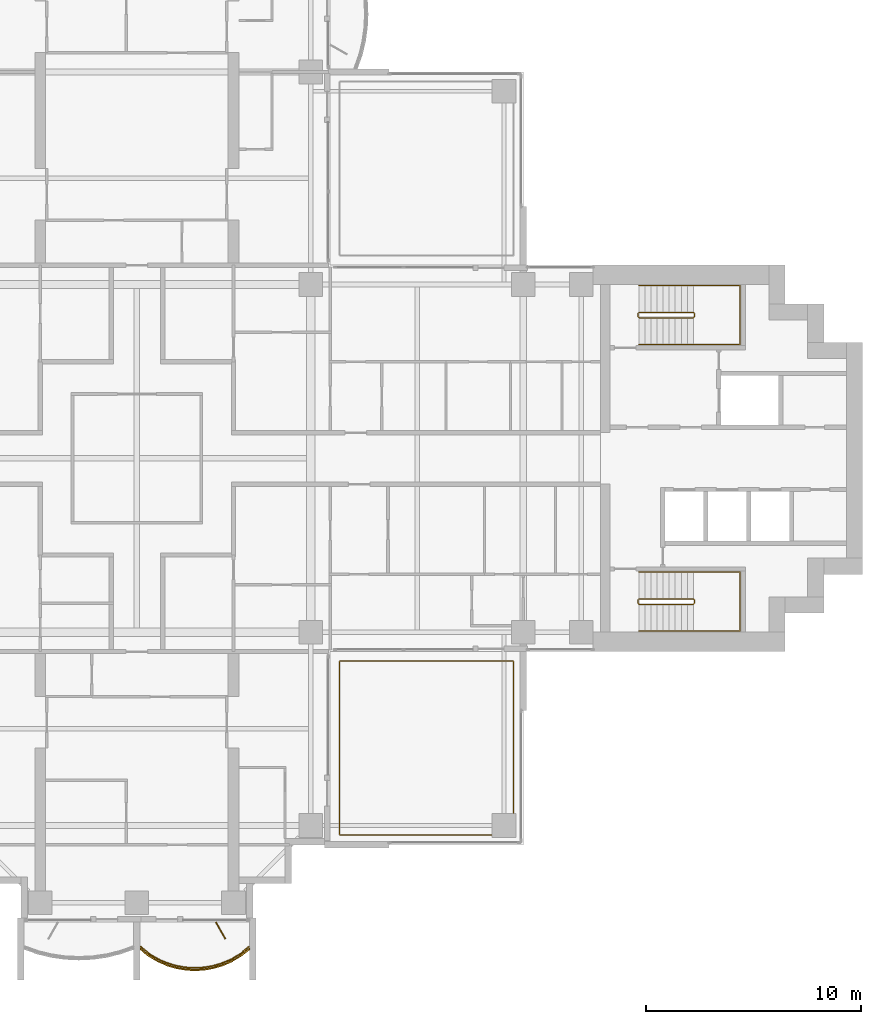
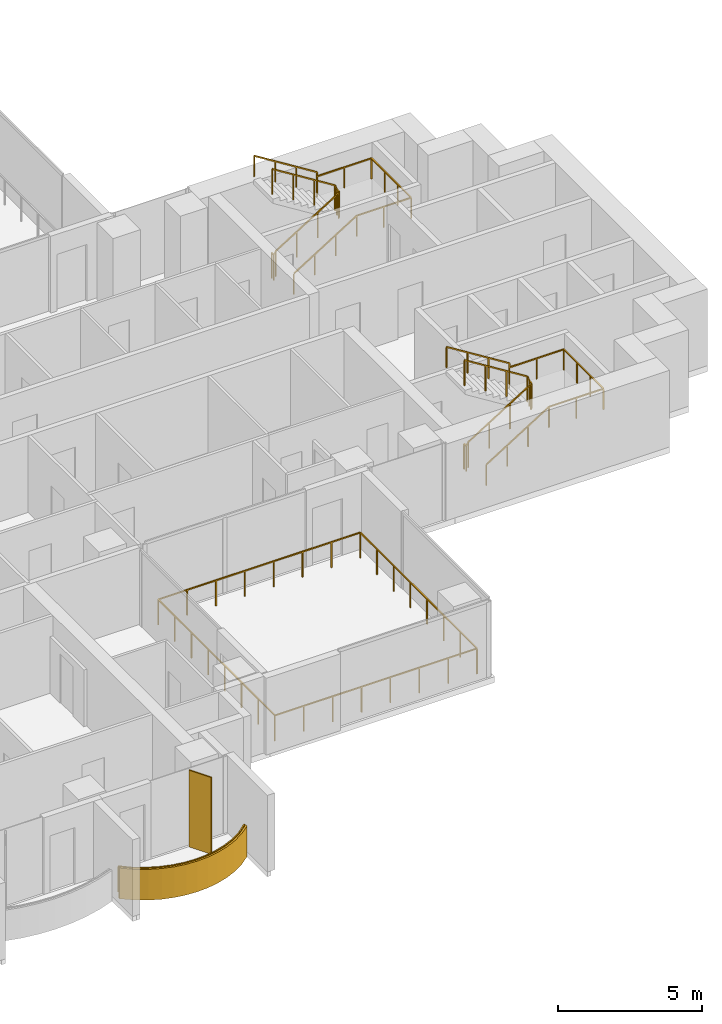
# One storey, part 17 of 19: 6 railings, 1 covering, 1 shading device.
"""IFC4 building model written with IfcOpenShell, lengths in metres."""

from ifc_helpers import new_model, si_unit, direction, frame, origin, origin_2d, place, context, subcontext, project, spatial, polyline, rectangle, outline, extrude, material, layer, layer_set, type_object, element, save


model = new_model("IFC4")

# Units and contexts
model_context = context("Model", 3, precision=1e-05, world=origin(), true_north=direction((0.0, 1.0)))
body_context = subcontext(model_context, "Body", "Model", "MODEL_VIEW")
ifc_project = project(units=[si_unit("LENGTHUNIT", "METRE"), si_unit("AREAUNIT", "SQUARE_METRE"), si_unit("VOLUMEUNIT", "CUBIC_METRE"), si_unit("PLANEANGLEUNIT", "RADIAN"), si_unit("MASSUNIT", "GRAM", prefix="KILO")], contexts=[model_context])

# Site, building, storey
site_placement = place(None, origin())
site = spatial("IfcSite", under=ifc_project, at=site_placement, CompositionType="ELEMENT")
building_placement = place(site_placement, origin())
building = spatial("IfcBuilding", under=site, at=building_placement, Name="Perihelion Cross Residences", CompositionType="ELEMENT")
storey_placement = place(building_placement, frame((0.0, 0.0, 112.89990234375)))
storey = spatial("IfcBuildingStorey", under=building, at=storey_placement, Name="L26", CompositionType="ELEMENT", Elevation=112.89990234375)

# Covering
ifc_material_1 = material(Name="Bronze anodised aluminium", Category="aluminium")
ifc_layer_1 = layer(ifc_material_1, 0.070068359375)
ifc_layer_set_1 = layer_set([ifc_layer_1], Name="Balcony fascia 1300")
covering_type = type_object("IfcCoveringType", Name="Balcony fascia 1300", PredefinedType="CLADDING", material=ifc_layer_set_1)
covering_placement = place(storey_placement, frame((0.0, 0.0, -0.199951171875)))
element("IfcCovering", 1, at=covering_placement, inside=storey, type_object=covering_type, Name="Fascia BF1 L26 south tip south bay 2", PredefinedType="CLADDING", context=body_context, shape_type="SweptSolid", body=[
    extrude(outline(polyline([(0.53515625, -23.197509765625), (0.96826171875, -23.455078125), (1.401123046875, -23.642578125), (1.833984375, -23.7705078125), (2.26708984375, -23.845458984375), (2.699951171875, -23.8701171875), (3.133056640625, -23.845458984375), (3.56591796875, -23.7705078125), (3.998779296875, -23.642578125), (4.431884765625, -23.455078125), (4.86474609375, -23.197509765625), (5.25, -22.8896484375), (5.25, -22.800048828125), (4.824951171875, -23.14013671875), (4.39990234375, -23.392578125), (3.97509765625, -23.57666015625), (3.550048828125, -23.702392578125), (3.125, -23.77587890625), (2.699951171875, -23.800048828125), (2.27490234375, -23.77587890625), (1.85009765625, -23.702392578125), (1.425048828125, -23.57666015625), (1.0, -23.392578125), (0.574951171875, -23.14013671875), (0.14990234375, -22.800048828125), (0.14990234375, -22.8896484375), (0.53515625, -23.197509765625)])), origin(), (0.0, 0.0, 1.0), 1.300048828125),
])

# Railings
ifc_material_2 = material(Name="Bronze anodised aluminium", Category="aluminium")
railing_type_1 = type_object("IfcRailingType", Name="Balcony guard 1100", PredefinedType="GUARDRAIL", material=ifc_material_2)
railing_1_placement = place(storey_placement, frame((0.175048828125, -22.739990234375, 0.0)))
element("IfcRailing", 2, at=railing_1_placement, inside=storey, type_object=railing_type_1, Name="Guard GU1 L26 south tip south bay 2 balcony", PredefinedType="GUARDRAIL", context=body_context, shape_type="SweptSolid", body=[
    extrude(rectangle(XDim=0.048095703125, YDim=0.048095703125, at=origin_2d()), frame((0.0, 0.0, 1.076171875), z_axis=(0.761778647315, -0.647837396648, 0.0), x_axis=(0.647837396648, 0.761778647315, 0.0)), (0.0, 0.0, 1.0), 0.52490234375),
    extrude(rectangle(XDim=0.048095703125, YDim=0.048095703125, at=origin_2d()), frame((0.39990234375, -0.340087890625, 1.076171875), z_axis=(0.859576918062, -0.511006381501, 0.0), x_axis=(0.511006381501, 0.859576918062, 0.0)), (0.0, 0.0, 1.0), 0.494384765625),
    extrude(rectangle(XDim=0.048095703125, YDim=0.048095703125, at=origin_2d()), frame((0.824951171875, -0.5927734375, 1.076171875), z_axis=(0.917831080218, -0.396971167952, 0.0), x_axis=(0.396971167952, 0.917831080218, 0.0)), (0.0, 0.0, 1.0), 0.463134765625),
    extrude(rectangle(XDim=0.048095703125, YDim=0.048095703125, at=origin_2d()), frame((1.25, -0.776611328125, 1.076171875), z_axis=(0.958925815697, -0.283656975924, 0.0), x_axis=(0.283656975924, 0.958925815697, 0.0)), (0.0, 0.0, 1.0), 0.443359375),
    extrude(rectangle(XDim=0.048095703125, YDim=0.048095703125, at=origin_2d()), frame((1.675048828125, -0.90234375, 1.076171875), z_axis=(0.985365142702, -0.170456843651, 0.0), x_axis=(0.170456843651, 0.985365142702, 0.0)), (0.0, 0.0, 1.0), 0.43115234375),
    extrude(rectangle(XDim=0.048095703125, YDim=0.048095703125, at=origin_2d()), frame((2.099853515625, -0.975830078125, 1.076171875), z_axis=(0.998387160354, -0.056772159032, 0.0), x_axis=(0.056772159032, 0.998387160354, 0.0)), (0.0, 0.0, 1.0), 0.42578125),
    extrude(rectangle(XDim=0.048095703125, YDim=0.048095703125, at=origin_2d()), frame((2.52490234375, -1.0, 1.076171875), z_axis=(0.998387160354, 0.056772159032, 0.0), x_axis=(-0.056772159032, 0.998387160354, 0.0)), (0.0, 0.0, 1.0), 0.42578125),
    extrude(rectangle(XDim=0.048095703125, YDim=0.048095703125, at=origin_2d()), frame((2.949951171875, -0.975830078125, 1.076171875), z_axis=(0.985381583142, 0.17036177859, 0.0), x_axis=(-0.17036177859, 0.985381583142, 0.0)), (0.0, 0.0, 1.0), 0.431396484375),
    extrude(rectangle(XDim=0.048095703125, YDim=0.048095703125, at=origin_2d()), frame((3.375, -0.90234375, 1.076171875), z_axis=(0.958925815697, 0.283656975924, 0.0), x_axis=(-0.283656975924, 0.958925815697, 0.0)), (0.0, 0.0, 1.0), 0.443359375),
    extrude(rectangle(XDim=0.048095703125, YDim=0.048095703125, at=origin_2d()), frame((3.800048828125, -0.776611328125, 1.076171875), z_axis=(0.917747942671, 0.397163333811, 0.0), x_axis=(-0.397163333811, 0.917747942671, 0.0)), (0.0, 0.0, 1.0), 0.462890625),
    extrude(rectangle(XDim=0.048095703125, YDim=0.048095703125, at=origin_2d()), frame((4.224853515625, -0.5927734375, 1.076171875), z_axis=(0.859576918062, 0.511006381501, 0.0), x_axis=(-0.511006381501, 0.859576918062, 0.0)), (0.0, 0.0, 1.0), 0.494384765625),
    extrude(rectangle(XDim=0.048095703125, YDim=0.048095703125, at=origin_2d()), frame((4.64990234375, -0.340087890625, 1.076171875), z_axis=(0.761973728849, 0.647607934281, 0.0), x_axis=(-0.647607934281, 0.761973728849, 0.0)), (0.0, 0.0, 1.0), 0.525146484375),
    extrude(rectangle(XDim=0.0419921875, YDim=0.0419921875, at=origin_2d()), origin(), (0.0, 0.0, 1.0), 1.052001953125),
    extrude(rectangle(XDim=0.0419921875, YDim=0.0419921875, at=origin_2d()), frame((0.39990234375, -0.340087890625, 0.0)), (0.0, 0.0, 1.0), 1.052001953125),
    extrude(rectangle(XDim=0.0419921875, YDim=0.0419921875, at=origin_2d()), frame((0.824951171875, -0.5927734375, 0.0)), (0.0, 0.0, 1.0), 1.052001953125),
    extrude(rectangle(XDim=0.0419921875, YDim=0.0419921875, at=origin_2d()), frame((1.25, -0.776611328125, 0.0)), (0.0, 0.0, 1.0), 1.052001953125),
    extrude(rectangle(XDim=0.0419921875, YDim=0.0419921875, at=origin_2d()), frame((1.675048828125, -0.90234375, 0.0)), (0.0, 0.0, 1.0), 1.052001953125),
    extrude(rectangle(XDim=0.0419921875, YDim=0.0419921875, at=origin_2d()), frame((2.099853515625, -0.975830078125, 0.0)), (0.0, 0.0, 1.0), 1.052001953125),
    extrude(rectangle(XDim=0.0419921875, YDim=0.0419921875, at=origin_2d()), frame((2.52490234375, -1.0, 0.0)), (0.0, 0.0, 1.0), 1.052001953125),
    extrude(rectangle(XDim=0.0419921875, YDim=0.0419921875, at=origin_2d()), frame((2.949951171875, -0.975830078125, 0.0)), (0.0, 0.0, 1.0), 1.052001953125),
    extrude(rectangle(XDim=0.0419921875, YDim=0.0419921875, at=origin_2d()), frame((3.375, -0.90234375, 0.0)), (0.0, 0.0, 1.0), 1.052001953125),
    extrude(rectangle(XDim=0.0419921875, YDim=0.0419921875, at=origin_2d()), frame((3.800048828125, -0.776611328125, 0.0)), (0.0, 0.0, 1.0), 1.052001953125),
    extrude(rectangle(XDim=0.0419921875, YDim=0.0419921875, at=origin_2d()), frame((4.224853515625, -0.5927734375, 0.0)), (0.0, 0.0, 1.0), 1.052001953125),
    extrude(rectangle(XDim=0.0419921875, YDim=0.0419921875, at=origin_2d()), frame((4.64990234375, -0.340087890625, 0.0)), (0.0, 0.0, 1.0), 1.052001953125),
    extrude(rectangle(XDim=0.0419921875, YDim=0.0419921875, at=origin_2d()), frame((5.050048828125, 0.0, 0.0)), (0.0, 0.0, 1.0), 1.052001953125),
])
railing_2_placement = place(storey_placement, frame((17.550048828125, -17.550048828125, 0.0)))
element("IfcRailing", 3, at=railing_2_placement, inside=storey, type_object=railing_type_1, Name="Guard GU1 L26 pocket south-east 1", PredefinedType="GUARDRAIL", context=body_context, shape_type="SweptSolid", body=[
    extrude(rectangle(XDim=0.048095703125, YDim=0.048095703125, at=origin_2d()), frame((0.0, 0.0, 1.076171875), z_axis=(-1.0, 0.0, 0.0), x_axis=(0.0, -1.0, 0.0)), (0.0, 0.0, 1.0), 8.10009765625),
    extrude(rectangle(XDim=0.048095703125, YDim=0.048095703125, at=origin_2d()), frame((-8.10009765625, 0.0, 1.076171875), z_axis=(0.0, 1.0, 0.0), x_axis=(-1.0, 0.0, 0.0)), (0.0, 0.0, 1.0), 8.10009765625),
    extrude(rectangle(XDim=0.048095703125, YDim=0.048095703125, at=origin_2d()), frame((-8.10009765625, 8.10009765625, 1.076171875), z_axis=(1.0, 0.0, 0.0), x_axis=(0.0, 1.0, 0.0)), (0.0, 0.0, 1.0), 8.10009765625),
    extrude(rectangle(XDim=0.048095703125, YDim=0.048095703125, at=origin_2d()), frame((0.0, 8.10009765625, 1.076171875), z_axis=(0.0, -1.0, 0.0), x_axis=(1.0, 0.0, 0.0)), (0.0, 0.0, 1.0), 8.10009765625),
    extrude(rectangle(XDim=0.0419921875, YDim=0.0419921875, at=origin_2d()), origin(), (0.0, 0.0, 1.0), 1.052001953125),
    extrude(rectangle(XDim=0.0419921875, YDim=0.0419921875, at=origin_2d()), frame((-1.1572265625, 0.0, 0.0)), (0.0, 0.0, 1.0), 1.052001953125),
    extrude(rectangle(XDim=0.0419921875, YDim=0.0419921875, at=origin_2d()), frame((-2.314208984375, 0.0, 0.0)), (0.0, 0.0, 1.0), 1.052001953125),
    extrude(rectangle(XDim=0.0419921875, YDim=0.0419921875, at=origin_2d()), frame((-3.471435546875, 0.0, 0.0)), (0.0, 0.0, 1.0), 1.052001953125),
    extrude(rectangle(XDim=0.0419921875, YDim=0.0419921875, at=origin_2d()), frame((-4.628662109375, 0.0, 0.0)), (0.0, 0.0, 1.0), 1.052001953125),
    extrude(rectangle(XDim=0.0419921875, YDim=0.0419921875, at=origin_2d()), frame((-5.785888671875, 0.0, 0.0)), (0.0, 0.0, 1.0), 1.052001953125),
    extrude(rectangle(XDim=0.0419921875, YDim=0.0419921875, at=origin_2d()), frame((-6.94287109375, 0.0, 0.0)), (0.0, 0.0, 1.0), 1.052001953125),
    extrude(rectangle(XDim=0.0419921875, YDim=0.0419921875, at=origin_2d()), frame((-8.10009765625, 0.0, 0.0)), (0.0, 0.0, 1.0), 1.052001953125),
    extrude(rectangle(XDim=0.0419921875, YDim=0.0419921875, at=origin_2d()), frame((-8.10009765625, 1.1572265625, 0.0)), (0.0, 0.0, 1.0), 1.052001953125),
    extrude(rectangle(XDim=0.0419921875, YDim=0.0419921875, at=origin_2d()), frame((-8.10009765625, 2.314208984375, 0.0)), (0.0, 0.0, 1.0), 1.052001953125),
    extrude(rectangle(XDim=0.0419921875, YDim=0.0419921875, at=origin_2d()), frame((-8.10009765625, 3.471435546875, 0.0)), (0.0, 0.0, 1.0), 1.052001953125),
    extrude(rectangle(XDim=0.0419921875, YDim=0.0419921875, at=origin_2d()), frame((-8.10009765625, 4.628662109375, 0.0)), (0.0, 0.0, 1.0), 1.052001953125),
    extrude(rectangle(XDim=0.0419921875, YDim=0.0419921875, at=origin_2d()), frame((-8.10009765625, 5.785888671875, 0.0)), (0.0, 0.0, 1.0), 1.052001953125),
    extrude(rectangle(XDim=0.0419921875, YDim=0.0419921875, at=origin_2d()), frame((-8.10009765625, 6.94287109375, 0.0)), (0.0, 0.0, 1.0), 1.052001953125),
    extrude(rectangle(XDim=0.0419921875, YDim=0.0419921875, at=origin_2d()), frame((-8.10009765625, 8.10009765625, 0.0)), (0.0, 0.0, 1.0), 1.052001953125),
    extrude(rectangle(XDim=0.0419921875, YDim=0.0419921875, at=origin_2d()), frame((-6.94287109375, 8.10009765625, 0.0)), (0.0, 0.0, 1.0), 1.052001953125),
    extrude(rectangle(XDim=0.0419921875, YDim=0.0419921875, at=origin_2d()), frame((-5.785888671875, 8.10009765625, 0.0)), (0.0, 0.0, 1.0), 1.052001953125),
    extrude(rectangle(XDim=0.0419921875, YDim=0.0419921875, at=origin_2d()), frame((-4.628662109375, 8.10009765625, 0.0)), (0.0, 0.0, 1.0), 1.052001953125),
    extrude(rectangle(XDim=0.0419921875, YDim=0.0419921875, at=origin_2d()), frame((-3.471435546875, 8.10009765625, 0.0)), (0.0, 0.0, 1.0), 1.052001953125),
    extrude(rectangle(XDim=0.0419921875, YDim=0.0419921875, at=origin_2d()), frame((-2.314208984375, 8.10009765625, 0.0)), (0.0, 0.0, 1.0), 1.052001953125),
    extrude(rectangle(XDim=0.0419921875, YDim=0.0419921875, at=origin_2d()), frame((-1.1572265625, 8.10009765625, 0.0)), (0.0, 0.0, 1.0), 1.052001953125),
    extrude(rectangle(XDim=0.0419921875, YDim=0.0419921875, at=origin_2d()), frame((0.0, 8.10009765625, 0.0)), (0.0, 0.0, 1.0), 1.052001953125),
    extrude(rectangle(XDim=0.0419921875, YDim=0.0419921875, at=origin_2d()), frame((0.0, 6.94287109375, 0.0)), (0.0, 0.0, 1.0), 1.052001953125),
    extrude(rectangle(XDim=0.0419921875, YDim=0.0419921875, at=origin_2d()), frame((0.0, 5.785888671875, 0.0)), (0.0, 0.0, 1.0), 1.052001953125),
    extrude(rectangle(XDim=0.0419921875, YDim=0.0419921875, at=origin_2d()), frame((0.0, 4.628662109375, 0.0)), (0.0, 0.0, 1.0), 1.052001953125),
    extrude(rectangle(XDim=0.0419921875, YDim=0.0419921875, at=origin_2d()), frame((0.0, 3.471435546875, 0.0)), (0.0, 0.0, 1.0), 1.052001953125),
    extrude(rectangle(XDim=0.0419921875, YDim=0.0419921875, at=origin_2d()), frame((0.0, 2.314208984375, 0.0)), (0.0, 0.0, 1.0), 1.052001953125),
    extrude(rectangle(XDim=0.0419921875, YDim=0.0419921875, at=origin_2d()), frame((0.0, 1.1572265625, 0.0)), (0.0, 0.0, 1.0), 1.052001953125),
])

# Shading device
ifc_material_3 = material(Name="Bronze anodised aluminium", Category="aluminium")
ifc_layer_2 = layer(ifc_material_3, 0.050048828125)
ifc_layer_set_2 = layer_set([ifc_layer_2], Name="Bronze fin 900")
shading_device_type = type_object("IfcShadingDeviceType", Name="Bronze fin 900", PredefinedType="USERDEFINED", material=ifc_layer_set_2)
shading_device_placement = place(storey_placement, frame((3.89990234375, -21.98974609375, 0.0), z_axis=(0.0, 0.0, 1.0), x_axis=(0.5, -0.866025403784, 0.0)))
element("IfcShadingDevice", 4, at=shading_device_placement, inside=storey, type_object=shading_device_type, Name="Fin FN1 L26 south tip south bay 2", ObjectType="FIN", PredefinedType="USERDEFINED", context=body_context, shape_type="SweptSolid", body=[
    extrude(rectangle(XDim=0.89990234375, YDim=0.050048828125, at=origin_2d()), origin(), (0.0, 0.0, 1.0), 3.25),
])

# Railings
ifc_material_4 = material(Name="Stainless steel", Category="steel")
railing_type_2 = type_object("IfcRailingType", Name="Stair guard 1100", PredefinedType="GUARDRAIL", material=ifc_material_4)
railing_3_placement = place(storey_placement, frame((23.35009765625, 6.75, 0.0)))
element("IfcRailing", 5, at=railing_3_placement, inside=storey, type_object=railing_type_2, Name="L26 ST-E1 stair guard 1", PredefinedType="GUARDRAIL", context=body_context, shape_type="SweptSolid", body=[
    extrude(rectangle(XDim=0.048095703125, YDim=0.048095703125, at=origin_2d()), frame((0.0, 0.0, 1.076171875), z_axis=(0.0, -1.0, 0.0), x_axis=(1.0, 0.0, 0.0)), (0.0, 0.0, 1.0), 0.14990234375),
    extrude(rectangle(XDim=0.048095703125, YDim=0.048095703125, at=origin_2d()), frame((0.0, -0.14990234375, 1.076171875), z_axis=(0.263862480399, -0.265155923931, 0.927399011991), x_axis=(0.708833529934, 0.705375805398, 0.0)), (0.0, 0.0, 1.0), 0.188720703125),
    extrude(rectangle(XDim=0.048095703125, YDim=0.048095703125, at=origin_2d()), frame((0.0498046875, -0.199951171875, 1.2509765625), z_axis=(0.848007534815, 0.0, 0.529984170421), x_axis=(0.0, 1.0, 0.0)), (0.0, 0.0, 1.0), 2.9716796875),
    extrude(rectangle(XDim=0.048095703125, YDim=0.048095703125, at=origin_2d()), frame((2.56982421875, -0.199951171875, 2.826171875), z_axis=(0.707106781187, 0.707106781187, 0.0), x_axis=(-0.707106781187, 0.707106781187, 0.0)), (0.0, 0.0, 1.0), 0.07080078125),
    extrude(rectangle(XDim=0.048095703125, YDim=0.048095703125, at=origin_2d()), frame((2.619873046875, -0.14990234375, 2.826171875), z_axis=(0.0, 1.0, 0.0), x_axis=(-1.0, 0.0, 0.0)), (0.0, 0.0, 1.0), 0.14990234375),
    extrude(rectangle(XDim=0.048095703125, YDim=0.048095703125, at=origin_2d()), frame((2.619873046875, 0.0, 2.826171875), z_axis=(-0.265065253269, 0.265065253269, 0.927081885822), x_axis=(-0.707106781187, -0.707106781187, 0.0)), (0.0, 0.0, 1.0), 0.188720703125),
    extrude(rectangle(XDim=0.048095703125, YDim=0.048095703125, at=origin_2d()), frame((2.56982421875, 0.050048828125, 3.0009765625), z_axis=(-0.848007534815, 0.0, 0.529984170421), x_axis=(0.0, -1.0, 0.0)), (0.0, 0.0, 1.0), 2.9716796875),
    extrude(rectangle(XDim=0.0419921875, YDim=0.0419921875, at=origin_2d()), origin(), (0.0, 0.0, 1.0), 1.052001953125),
    extrude(rectangle(XDim=0.0419921875, YDim=0.0419921875, at=origin_2d()), frame((0.0, -0.14990234375, 0.0)), (0.0, 0.0, 1.0), 1.052001953125),
    extrude(rectangle(XDim=0.0419921875, YDim=0.0419921875, at=origin_2d()), frame((0.0498046875, -0.199951171875, 0.175048828125)), (0.0, 0.0, 1.0), 1.052001953125),
    extrude(rectangle(XDim=0.0419921875, YDim=0.0419921875, at=origin_2d()), frame((0.889892578125, -0.199951171875, 0.699951171875)), (0.0, 0.0, 1.0), 1.052001953125),
    extrude(rectangle(XDim=0.0419921875, YDim=0.0419921875, at=origin_2d()), frame((1.729736328125, -0.199951171875, 1.22509765625)), (0.0, 0.0, 1.0), 1.052001953125),
    extrude(rectangle(XDim=0.0419921875, YDim=0.0419921875, at=origin_2d()), frame((2.56982421875, -0.199951171875, 1.75)), (0.0, 0.0, 1.0), 1.052001953125),
    extrude(rectangle(XDim=0.0419921875, YDim=0.0419921875, at=origin_2d()), frame((2.619873046875, -0.14990234375, 1.75)), (0.0, 0.0, 1.0), 1.052001953125),
    extrude(rectangle(XDim=0.0419921875, YDim=0.0419921875, at=origin_2d()), frame((2.619873046875, 0.0, 1.75)), (0.0, 0.0, 1.0), 1.052001953125),
    extrude(rectangle(XDim=0.0419921875, YDim=0.0419921875, at=origin_2d()), frame((2.56982421875, 0.050048828125, 1.925048828125)), (0.0, 0.0, 1.0), 1.052001953125),
    extrude(rectangle(XDim=0.0419921875, YDim=0.0419921875, at=origin_2d()), frame((1.729736328125, 0.050048828125, 2.449951171875)), (0.0, 0.0, 1.0), 1.052001953125),
    extrude(rectangle(XDim=0.0419921875, YDim=0.0419921875, at=origin_2d()), frame((0.889892578125, 0.050048828125, 2.97509765625)), (0.0, 0.0, 1.0), 1.052001953125),
    extrude(rectangle(XDim=0.0419921875, YDim=0.0419921875, at=origin_2d()), frame((0.0498046875, 0.050048828125, 3.5)), (0.0, 0.0, 1.0), 1.052001953125),
])
railing_4_placement = place(storey_placement, frame((23.35009765625, -6.60009765625, 0.0)))
element("IfcRailing", 6, at=railing_4_placement, inside=storey, type_object=railing_type_2, Name="L26 ST-E2 stair guard 1", PredefinedType="GUARDRAIL", context=body_context, shape_type="SweptSolid", body=[
    extrude(rectangle(XDim=0.048095703125, YDim=0.048095703125, at=origin_2d()), frame((0.0, 0.0, 1.076171875), z_axis=(0.0, -1.0, 0.0), x_axis=(1.0, 0.0, 0.0)), (0.0, 0.0, 1.0), 0.14990234375),
    extrude(rectangle(XDim=0.048095703125, YDim=0.048095703125, at=origin_2d()), frame((0.0, -0.14990234375, 1.076171875), z_axis=(0.263862480399, -0.265155923931, 0.927399011991), x_axis=(0.708833529934, 0.705375805398, 0.0)), (0.0, 0.0, 1.0), 0.188720703125),
    extrude(rectangle(XDim=0.048095703125, YDim=0.048095703125, at=origin_2d()), frame((0.0498046875, -0.199951171875, 1.2509765625), z_axis=(0.848007534815, 0.0, 0.529984170421), x_axis=(0.0, 1.0, 0.0)), (0.0, 0.0, 1.0), 2.9716796875),
    extrude(rectangle(XDim=0.048095703125, YDim=0.048095703125, at=origin_2d()), frame((2.56982421875, -0.199951171875, 2.826171875), z_axis=(0.707106781187, 0.707106781187, 0.0), x_axis=(-0.707106781187, 0.707106781187, 0.0)), (0.0, 0.0, 1.0), 0.07080078125),
    extrude(rectangle(XDim=0.048095703125, YDim=0.048095703125, at=origin_2d()), frame((2.619873046875, -0.14990234375, 2.826171875), z_axis=(0.0, 1.0, 0.0), x_axis=(-1.0, 0.0, 0.0)), (0.0, 0.0, 1.0), 0.14990234375),
    extrude(rectangle(XDim=0.048095703125, YDim=0.048095703125, at=origin_2d()), frame((2.619873046875, 0.0, 2.826171875), z_axis=(-0.265065253269, 0.265065253269, 0.927081885822), x_axis=(-0.707106781187, -0.707106781187, 0.0)), (0.0, 0.0, 1.0), 0.188720703125),
    extrude(rectangle(XDim=0.048095703125, YDim=0.048095703125, at=origin_2d()), frame((2.56982421875, 0.050048828125, 3.0009765625), z_axis=(-0.848007534815, 0.0, 0.529984170421), x_axis=(0.0, -1.0, 0.0)), (0.0, 0.0, 1.0), 2.9716796875),
    extrude(rectangle(XDim=0.0419921875, YDim=0.0419921875, at=origin_2d()), origin(), (0.0, 0.0, 1.0), 1.052001953125),
    extrude(rectangle(XDim=0.0419921875, YDim=0.0419921875, at=origin_2d()), frame((0.0, -0.14990234375, 0.0)), (0.0, 0.0, 1.0), 1.052001953125),
    extrude(rectangle(XDim=0.0419921875, YDim=0.0419921875, at=origin_2d()), frame((0.0498046875, -0.199951171875, 0.175048828125)), (0.0, 0.0, 1.0), 1.052001953125),
    extrude(rectangle(XDim=0.0419921875, YDim=0.0419921875, at=origin_2d()), frame((0.889892578125, -0.199951171875, 0.699951171875)), (0.0, 0.0, 1.0), 1.052001953125),
    extrude(rectangle(XDim=0.0419921875, YDim=0.0419921875, at=origin_2d()), frame((1.729736328125, -0.199951171875, 1.22509765625)), (0.0, 0.0, 1.0), 1.052001953125),
    extrude(rectangle(XDim=0.0419921875, YDim=0.0419921875, at=origin_2d()), frame((2.56982421875, -0.199951171875, 1.75)), (0.0, 0.0, 1.0), 1.052001953125),
    extrude(rectangle(XDim=0.0419921875, YDim=0.0419921875, at=origin_2d()), frame((2.619873046875, -0.14990234375, 1.75)), (0.0, 0.0, 1.0), 1.052001953125),
    extrude(rectangle(XDim=0.0419921875, YDim=0.0419921875, at=origin_2d()), frame((2.619873046875, 0.0, 1.75)), (0.0, 0.0, 1.0), 1.052001953125),
    extrude(rectangle(XDim=0.0419921875, YDim=0.0419921875, at=origin_2d()), frame((2.56982421875, 0.050048828125, 1.925048828125)), (0.0, 0.0, 1.0), 1.052001953125),
    extrude(rectangle(XDim=0.0419921875, YDim=0.0419921875, at=origin_2d()), frame((1.729736328125, 0.050048828125, 2.449951171875)), (0.0, 0.0, 1.0), 1.052001953125),
    extrude(rectangle(XDim=0.0419921875, YDim=0.0419921875, at=origin_2d()), frame((0.889892578125, 0.050048828125, 2.97509765625)), (0.0, 0.0, 1.0), 1.052001953125),
    extrude(rectangle(XDim=0.0419921875, YDim=0.0419921875, at=origin_2d()), frame((0.0498046875, 0.050048828125, 3.5)), (0.0, 0.0, 1.0), 1.052001953125),
])
ifc_material_5 = material(Name="Stainless steel", Category="steel")
railing_type_3 = type_object("IfcRailingType", Name="Stair handrail 900", PredefinedType="HANDRAIL", material=ifc_material_5)
railing_5_placement = place(storey_placement, frame((23.39990234375, 5.300048828125, 0.175048828125)))
element("IfcRailing", 7, at=railing_5_placement, inside=storey, type_object=railing_type_3, Name="L26 ST-E1 stair handrail 1", PredefinedType="HANDRAIL", context=body_context, shape_type="SweptSolid", body=[
    extrude(rectangle(XDim=0.048095703125, YDim=0.048095703125, at=origin_2d()), frame((0.0, 0.0, 0.8759765625), z_axis=(0.848007534815, 0.0, 0.529984170421), x_axis=(0.0, 1.0, 0.0)), (0.0, 0.0, 1.0), 2.9716796875),
    extrude(rectangle(XDim=0.048095703125, YDim=0.048095703125, at=origin_2d()), frame((2.52001953125, 0.0, 2.45068359375), z_axis=(1.0, 0.0, 0.0), x_axis=(0.0, 1.0, 0.0)), (0.0, 0.0, 1.0), 2.18017578125),
    extrude(rectangle(XDim=0.048095703125, YDim=0.048095703125, at=origin_2d()), frame((4.7001953125, 0.0, 2.45068359375), z_axis=(0.0, 1.0, 0.0), x_axis=(-1.0, 0.0, 0.0)), (0.0, 0.0, 1.0), 2.75),
    extrude(rectangle(XDim=0.048095703125, YDim=0.048095703125, at=origin_2d()), frame((4.7001953125, 2.75, 2.45068359375), z_axis=(-1.0, 0.0, 0.0), x_axis=(0.0, -1.0, 0.0)), (0.0, 0.0, 1.0), 2.18017578125),
    extrude(rectangle(XDim=0.048095703125, YDim=0.048095703125, at=origin_2d()), frame((2.52001953125, 2.75, 2.45068359375), z_axis=(0.0, 0.0, 1.0), x_axis=(1.0, 0.0, 0.0)), (0.0, 0.0, 1.0), 0.175048828125),
    extrude(rectangle(XDim=0.048095703125, YDim=0.048095703125, at=origin_2d()), frame((2.52001953125, 2.75, 2.6259765625), z_axis=(-0.848007534815, 0.0, 0.529984170421), x_axis=(0.0, -1.0, 0.0)), (0.0, 0.0, 1.0), 2.9716796875),
    extrude(rectangle(XDim=0.0419921875, YDim=0.0419921875, at=origin_2d()), origin(), (0.0, 0.0, 1.0), 0.851806640625),
    extrude(rectangle(XDim=0.0419921875, YDim=0.0419921875, at=origin_2d()), frame((0.840087890625, 0.0, 0.52490234375)), (0.0, 0.0, 1.0), 0.851806640625),
    extrude(rectangle(XDim=0.0419921875, YDim=0.0419921875, at=origin_2d()), frame((1.679931640625, 0.0, 1.050048828125)), (0.0, 0.0, 1.0), 0.851806640625),
    extrude(rectangle(XDim=0.0419921875, YDim=0.0419921875, at=origin_2d()), frame((2.52001953125, 0.0, 1.574951171875)), (0.0, 0.0, 1.0), 0.851806640625),
    extrude(rectangle(XDim=0.0419921875, YDim=0.0419921875, at=origin_2d()), frame((3.610107421875, 0.0, 1.574951171875)), (0.0, 0.0, 1.0), 0.851806640625),
    extrude(rectangle(XDim=0.0419921875, YDim=0.0419921875, at=origin_2d()), frame((4.7001953125, 0.0, 1.574951171875)), (0.0, 0.0, 1.0), 0.851806640625),
    extrude(rectangle(XDim=0.0419921875, YDim=0.0419921875, at=origin_2d()), frame((4.7001953125, 0.916748046875, 1.574951171875)), (0.0, 0.0, 1.0), 0.851806640625),
    extrude(rectangle(XDim=0.0419921875, YDim=0.0419921875, at=origin_2d()), frame((4.7001953125, 1.833251953125, 1.574951171875)), (0.0, 0.0, 1.0), 0.851806640625),
    extrude(rectangle(XDim=0.0419921875, YDim=0.0419921875, at=origin_2d()), frame((4.7001953125, 2.75, 1.574951171875)), (0.0, 0.0, 1.0), 0.851806640625),
    extrude(rectangle(XDim=0.0419921875, YDim=0.0419921875, at=origin_2d()), frame((3.610107421875, 2.75, 1.574951171875)), (0.0, 0.0, 1.0), 0.851806640625),
    extrude(rectangle(XDim=0.0419921875, YDim=0.0419921875, at=origin_2d()), frame((2.52001953125, 2.75, 1.574951171875)), (0.0, 0.0, 1.0), 0.851806640625),
    extrude(rectangle(XDim=0.0419921875, YDim=0.0419921875, at=origin_2d()), frame((2.52001953125, 2.75, 1.75)), (0.0, 0.0, 1.0), 0.851806640625),
    extrude(rectangle(XDim=0.0419921875, YDim=0.0419921875, at=origin_2d()), frame((1.679931640625, 2.75, 2.27490234375)), (0.0, 0.0, 1.0), 0.851806640625),
    extrude(rectangle(XDim=0.0419921875, YDim=0.0419921875, at=origin_2d()), frame((0.840087890625, 2.75, 2.800048828125)), (0.0, 0.0, 1.0), 0.851806640625),
    extrude(rectangle(XDim=0.0419921875, YDim=0.0419921875, at=origin_2d()), frame((0.0, 2.75, 3.324951171875)), (0.0, 0.0, 1.0), 0.851806640625),
])
railing_6_placement = place(storey_placement, frame((23.39990234375, -8.050048828125, 0.175048828125)))
element("IfcRailing", 8, at=railing_6_placement, inside=storey, type_object=railing_type_3, Name="L26 ST-E2 stair handrail 1", PredefinedType="HANDRAIL", context=body_context, shape_type="SweptSolid", body=[
    extrude(rectangle(XDim=0.048095703125, YDim=0.048095703125, at=origin_2d()), frame((0.0, 0.0, 0.8759765625), z_axis=(0.848007534815, 0.0, 0.529984170421), x_axis=(0.0, 1.0, 0.0)), (0.0, 0.0, 1.0), 2.9716796875),
    extrude(rectangle(XDim=0.048095703125, YDim=0.048095703125, at=origin_2d()), frame((2.52001953125, 0.0, 2.45068359375), z_axis=(1.0, 0.0, 0.0), x_axis=(0.0, 1.0, 0.0)), (0.0, 0.0, 1.0), 2.18017578125),
    extrude(rectangle(XDim=0.048095703125, YDim=0.048095703125, at=origin_2d()), frame((4.7001953125, 0.0, 2.45068359375), z_axis=(0.0, 1.0, 0.0), x_axis=(-1.0, 0.0, 0.0)), (0.0, 0.0, 1.0), 2.75),
    extrude(rectangle(XDim=0.048095703125, YDim=0.048095703125, at=origin_2d()), frame((4.7001953125, 2.75, 2.45068359375), z_axis=(-1.0, 0.0, 0.0), x_axis=(0.0, -1.0, 0.0)), (0.0, 0.0, 1.0), 2.18017578125),
    extrude(rectangle(XDim=0.048095703125, YDim=0.048095703125, at=origin_2d()), frame((2.52001953125, 2.75, 2.45068359375), z_axis=(0.0, 0.0, 1.0), x_axis=(1.0, 0.0, 0.0)), (0.0, 0.0, 1.0), 0.175048828125),
    extrude(rectangle(XDim=0.048095703125, YDim=0.048095703125, at=origin_2d()), frame((2.52001953125, 2.75, 2.6259765625), z_axis=(-0.848007534815, 0.0, 0.529984170421), x_axis=(0.0, -1.0, 0.0)), (0.0, 0.0, 1.0), 2.9716796875),
    extrude(rectangle(XDim=0.0419921875, YDim=0.0419921875, at=origin_2d()), origin(), (0.0, 0.0, 1.0), 0.851806640625),
    extrude(rectangle(XDim=0.0419921875, YDim=0.0419921875, at=origin_2d()), frame((0.840087890625, 0.0, 0.52490234375)), (0.0, 0.0, 1.0), 0.851806640625),
    extrude(rectangle(XDim=0.0419921875, YDim=0.0419921875, at=origin_2d()), frame((1.679931640625, 0.0, 1.050048828125)), (0.0, 0.0, 1.0), 0.851806640625),
    extrude(rectangle(XDim=0.0419921875, YDim=0.0419921875, at=origin_2d()), frame((2.52001953125, 0.0, 1.574951171875)), (0.0, 0.0, 1.0), 0.851806640625),
    extrude(rectangle(XDim=0.0419921875, YDim=0.0419921875, at=origin_2d()), frame((3.610107421875, 0.0, 1.574951171875)), (0.0, 0.0, 1.0), 0.851806640625),
    extrude(rectangle(XDim=0.0419921875, YDim=0.0419921875, at=origin_2d()), frame((4.7001953125, 0.0, 1.574951171875)), (0.0, 0.0, 1.0), 0.851806640625),
    extrude(rectangle(XDim=0.0419921875, YDim=0.0419921875, at=origin_2d()), frame((4.7001953125, 0.916748046875, 1.574951171875)), (0.0, 0.0, 1.0), 0.851806640625),
    extrude(rectangle(XDim=0.0419921875, YDim=0.0419921875, at=origin_2d()), frame((4.7001953125, 1.833251953125, 1.574951171875)), (0.0, 0.0, 1.0), 0.851806640625),
    extrude(rectangle(XDim=0.0419921875, YDim=0.0419921875, at=origin_2d()), frame((4.7001953125, 2.75, 1.574951171875)), (0.0, 0.0, 1.0), 0.851806640625),
    extrude(rectangle(XDim=0.0419921875, YDim=0.0419921875, at=origin_2d()), frame((3.610107421875, 2.75, 1.574951171875)), (0.0, 0.0, 1.0), 0.851806640625),
    extrude(rectangle(XDim=0.0419921875, YDim=0.0419921875, at=origin_2d()), frame((2.52001953125, 2.75, 1.574951171875)), (0.0, 0.0, 1.0), 0.851806640625),
    extrude(rectangle(XDim=0.0419921875, YDim=0.0419921875, at=origin_2d()), frame((2.52001953125, 2.75, 1.75)), (0.0, 0.0, 1.0), 0.851806640625),
    extrude(rectangle(XDim=0.0419921875, YDim=0.0419921875, at=origin_2d()), frame((1.679931640625, 2.75, 2.27490234375)), (0.0, 0.0, 1.0), 0.851806640625),
    extrude(rectangle(XDim=0.0419921875, YDim=0.0419921875, at=origin_2d()), frame((0.840087890625, 2.75, 2.800048828125)), (0.0, 0.0, 1.0), 0.851806640625),
    extrude(rectangle(XDim=0.0419921875, YDim=0.0419921875, at=origin_2d()), frame((0.0, 2.75, 3.324951171875)), (0.0, 0.0, 1.0), 0.851806640625),
])

save(model, "model.ifc")
